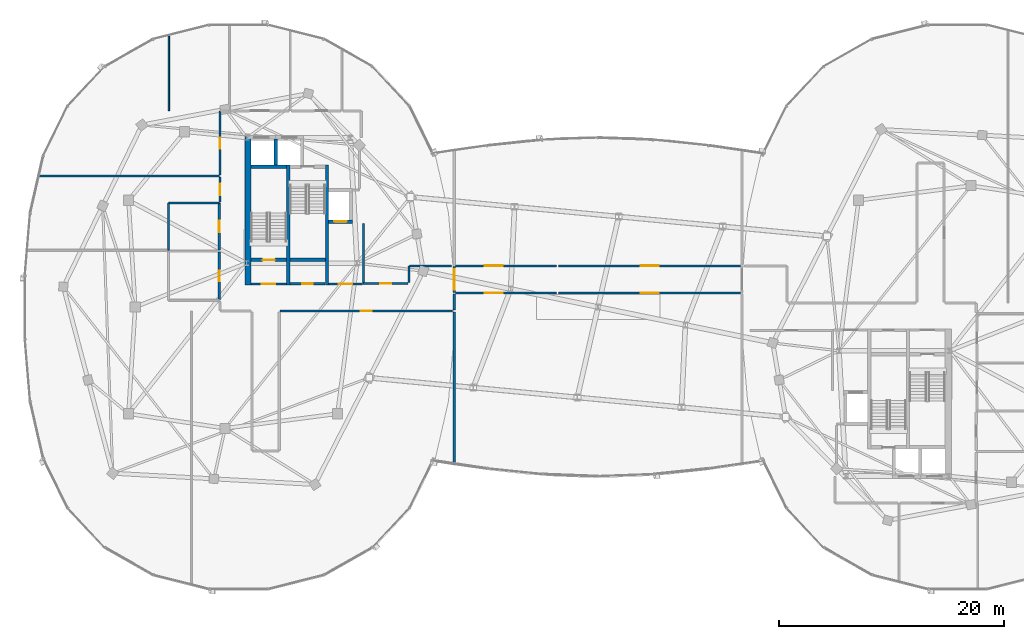
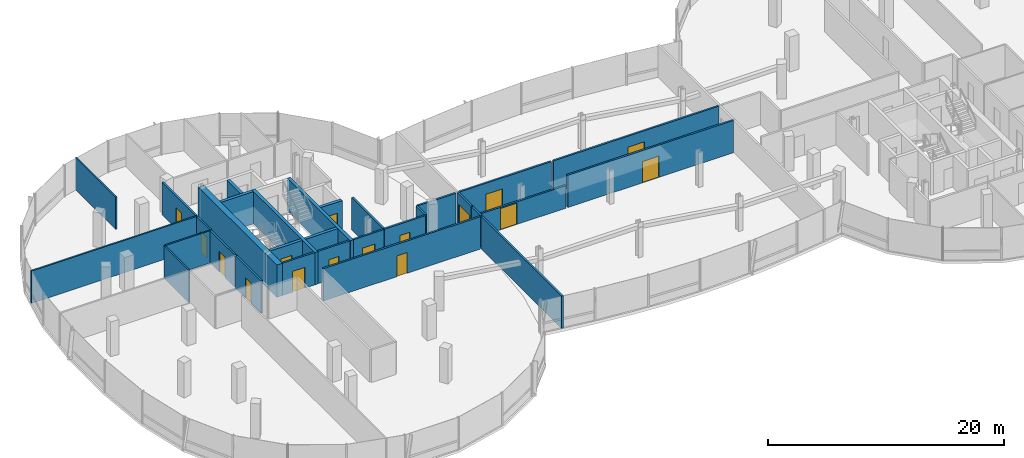
# One storey, part 14 of 25: 31 walls, 16 doors, 16 openings.
"""IFC4 building model written with IfcOpenShell, lengths in metres."""

from ifc_helpers import new_model, si_unit, direction, frame, frame_2d, origin, place, context, subcontext, project, spatial, rectangle, extrude, material, layer, layer_set, type_object, element, fill, save


model = new_model("IFC4")

# Units and contexts
model_context = context("Model", 3, precision=1e-05, world=origin(), true_north=direction((0.0, 1.0)))
body_context = subcontext(model_context, "Body", "Model", "MODEL_VIEW")
ifc_project = project(units=[si_unit("LENGTHUNIT", "METRE"), si_unit("AREAUNIT", "SQUARE_METRE"), si_unit("VOLUMEUNIT", "CUBIC_METRE"), si_unit("PLANEANGLEUNIT", "RADIAN"), si_unit("MASSUNIT", "GRAM", prefix="KILO"), si_unit("THERMODYNAMICTEMPERATUREUNIT", "KELVIN"), si_unit("POWERUNIT", "WATT")], contexts=[model_context])

# Site, building, storey
site_placement = place(None, origin())
site = spatial("IfcSite", under=ifc_project, at=site_placement, CompositionType="ELEMENT")
building_placement = place(site_placement, origin())
building = spatial("IfcBuilding", under=site, at=building_placement, Name="Cundina Bronze Exchange", CompositionType="ELEMENT")
storey_placement = place(building_placement, frame((0.0, 0.0, 239.60009765625)))
storey = spatial("IfcBuildingStorey", under=building, at=storey_placement, Name="L63", CompositionType="ELEMENT", Elevation=239.60009765625)

# Wall
ifc_material_1 = material(Name="Gypsum Fireboard Partition EI120")
ifc_layer_1 = layer(ifc_material_1, 0.179931640625, Name="Gypsum Fireboard Partition EI120")
ifc_layer_set_1 = layer_set([ifc_layer_1], Name="Gypsum Fireboard Partition EI120")
wall_type_1 = type_object("IfcWallType", Name="WL-COR-180", PredefinedType="PARTITIONING", material=ifc_layer_set_1)
wall_1_placement = place(storey_placement, frame((-20.889892578125, 2.14990234375, 0.0), z_axis=(0.0, 0.0, 1.0), x_axis=(0.0, 1.0, 0.0)))
element("IfcWall", 1, at=wall_1_placement, inside=storey, type_object=wall_type_1, Name="L63 W Firefighting Lobby Side Wall", PredefinedType="PARTITIONING", context=body_context, shape_type="SweptSolid", body=[
    extrude(rectangle(XDim=5.300048828125, YDim=0.179931640625, at=frame_2d((2.64990234375, 0.0))), origin(), (0.0, 0.0, 1.0), 3.33984375),
])

# Wall, opening, door
wall_2_placement = place(storey_placement, frame((-23.97998046875, 2.06005859375, 0.0), z_axis=(0.0, 0.0, 1.0), x_axis=(1.0, 0.0, 0.0)))
wall_2 = element("IfcWall", 2, at=wall_2_placement, inside=storey, type_object=wall_type_1, Name="L63 W Firefighting Lobby Exit Wall", PredefinedType="PARTITIONING", context=body_context, shape_type="SweptSolid", body=[
    extrude(rectangle(XDim=3.0, YDim=0.179931640625, at=frame_2d((1.5, 0.0))), origin(), (0.0, 0.0, 1.0), 3.33984375),
])
opening_1_placement = place(wall_2_placement, frame((0.89990234375, 0.0, 0.0)))
opening_1 = element("IfcOpeningElement", 3, at=opening_1_placement, cuts=wall_2, Name="Opening DF-01", PredefinedType="OPENING", context=body_context, shape_type="SweptSolid", body=[
    extrude(rectangle(XDim=1.199951171875, YDim=2.14990234375, at=frame_2d((0.60009765625, 1.074951171875))), frame((0.0, 0.099853515625, 0.0), z_axis=(0.0, -1.0, 0.0), x_axis=(1.0, 0.0, 0.0)), (0.0, 0.0, 1.0), 0.199951171875),
])
ifc_material_2 = material(Name="Steel ASTM A36 Painted", Category="steel")
door_type_1 = type_object("IfcDoorType", Name="DR-FFL-1200", OperationType="NOTDEFINED", PredefinedType="DOOR", material=ifc_material_2)
door_1_placement = place(opening_1_placement, origin())
door_1 = element("IfcDoor", 4, at=door_1_placement, inside=storey, type_object=door_type_1, Name="L63 W Firefighting Lobby Door", OperationType="SINGLE_SWING_RIGHT", OverallHeight=2.14990234375, OverallWidth=1.199951171875, PredefinedType="DOOR", context=body_context, shape_type="SweptSolid", body=[
    extrude(rectangle(XDim=1.199951171875, YDim=2.14990234375, at=frame_2d((0.60009765625, 1.074951171875))), frame((0.0, 0.02490234375, 0.0), z_axis=(0.0, -1.0, 0.0), x_axis=(1.0, 0.0, 0.0)), (0.0, 0.0, 1.0), 0.050048828125),
])
fill(opening_1, door_1)

wall_3_placement = place(storey_placement, frame((-30.89990234375, 2.06005859375, 0.0), z_axis=(0.0, 0.0, 1.0), x_axis=(1.0, 0.0, 0.0)))
wall_3 = element("IfcWall", 5, at=wall_3_placement, inside=storey, type_object=wall_type_1, Name="L63 W Stair Vestibule Exit Wall", PredefinedType="PARTITIONING", context=body_context, shape_type="SweptSolid", body=[
    extrude(rectangle(XDim=3.159912109375, YDim=0.179931640625, at=frame_2d((1.580078125, 0.0))), origin(), (0.0, 0.0, 1.0), 3.33984375),
])
opening_2_placement = place(wall_3_placement, frame((0.97998046875, 0.0, 0.0)))
opening_2 = element("IfcOpeningElement", 6, at=opening_2_placement, cuts=wall_3, Name="Opening DF-01", PredefinedType="OPENING", context=body_context, shape_type="SweptSolid", body=[
    extrude(rectangle(XDim=1.199951171875, YDim=2.14990234375, at=frame_2d((0.60009765625, 1.074951171875))), frame((0.0, 0.099853515625, 0.0), z_axis=(0.0, -1.0, 0.0), x_axis=(1.0, 0.0, 0.0)), (0.0, 0.0, 1.0), 0.199951171875),
])
door_2_placement = place(opening_2_placement, origin())
door_2 = element("IfcDoor", 7, at=door_2_placement, inside=storey, type_object=door_type_1, Name="L63 W Stair Vestibule Door", OperationType="SINGLE_SWING_LEFT", OverallHeight=2.14990234375, OverallWidth=1.199951171875, PredefinedType="DOOR", context=body_context, shape_type="SweptSolid", body=[
    extrude(rectangle(XDim=1.199951171875, YDim=2.14990234375, at=frame_2d((0.60009765625, 1.074951171875))), frame((0.0, 0.02490234375, 0.0), z_axis=(0.0, -1.0, 0.0), x_axis=(1.0, 0.0, 0.0)), (0.0, 0.0, 1.0), 0.050048828125),
])
fill(opening_2, door_2)

wall_4_placement = place(storey_placement, frame((-27.419921875, 2.070068359375, 0.0), z_axis=(0.0, 0.0, 1.0), x_axis=(1.0, 0.0, 0.0)))
wall_4 = element("IfcWall", 8, at=wall_4_placement, inside=storey, type_object=wall_type_1, Name="L63 Interior Partition 003", PredefinedType="PARTITIONING", context=body_context, shape_type="SweptSolid", body=[
    extrude(rectangle(XDim=3.119873046875, YDim=0.179931640625, at=frame_2d((1.56005859375, 0.0))), origin(), (0.0, 0.0, 1.0), 3.33984375),
])
opening_3_placement = place(wall_4_placement, frame((1.0849609375, 0.0, 0.0)))
opening_3 = element("IfcOpeningElement", 9, at=opening_3_placement, cuts=wall_4, Name="Opening DW-01", PredefinedType="OPENING", context=body_context, shape_type="SweptSolid", body=[
    extrude(rectangle(XDim=0.949951171875, YDim=2.10009765625, at=frame_2d((0.47509765625, 1.050048828125))), frame((0.0, 0.099853515625, 0.0), z_axis=(0.0, -1.0, 0.0), x_axis=(1.0, 0.0, 0.0)), (0.0, 0.0, 1.0), 0.199951171875),
])
ifc_material_3 = material(Name="Solid Andean Oak Timber Grade A", Category="wood")
door_type_2 = type_object("IfcDoorType", Name="DR-WC-950", OperationType="NOTDEFINED", PredefinedType="DOOR", material=ifc_material_3)
door_3_placement = place(opening_3_placement, origin())
door_3 = element("IfcDoor", 10, at=door_3_placement, inside=storey, type_object=door_type_2, Name="L63 Interior Door 003", OperationType="SINGLE_SWING_LEFT", OverallHeight=2.10009765625, OverallWidth=0.949951171875, PredefinedType="DOOR", context=body_context, shape_type="SweptSolid", body=[
    extrude(rectangle(XDim=0.949951171875, YDim=2.10009765625, at=frame_2d((0.47509765625, 1.050048828125))), frame((0.0, 0.02490234375, 0.0), z_axis=(0.0, -1.0, 0.0), x_axis=(1.0, 0.0, 0.0)), (0.0, 0.0, 1.0), 0.050048828125),
])
fill(opening_3, door_3)

wall_5_placement = place(storey_placement, frame((-33.719970703125, 0.6201171875, 0.0), z_axis=(0.0, 0.0, 1.0), x_axis=(0.0, 1.0, 0.0)))
wall_5 = element("IfcWall", 11, at=wall_5_placement, inside=storey, type_object=wall_type_1, Name="L63 Interior Partition 009", PredefinedType="PARTITIONING", context=body_context, shape_type="SweptSolid", body=[
    extrude(rectangle(XDim=4.259765625, YDim=0.179931640625, at=frame_2d((2.1298828125, 0.0))), origin(), (0.0, 0.0, 1.0), 3.33984375),
])
opening_4_placement = place(wall_5_placement, frame((1.655029296875, 0.0, 0.0)))
opening_4 = element("IfcOpeningElement", 12, at=opening_4_placement, cuts=wall_5, Name="Opening DW-01", PredefinedType="OPENING", context=body_context, shape_type="SweptSolid", body=[
    extrude(rectangle(XDim=0.949951171875, YDim=2.10009765625, at=frame_2d((0.47509765625, 1.050048828125))), frame((0.0, 0.099853515625, 0.0), z_axis=(0.0, -1.0, 0.0), x_axis=(1.0, 0.0, 0.0)), (0.0, 0.0, 1.0), 0.199951171875),
])
door_4_placement = place(opening_4_placement, origin())
door_4 = element("IfcDoor", 13, at=door_4_placement, inside=storey, type_object=door_type_2, Name="L63 Interior Door 009", OperationType="SINGLE_SWING_LEFT", OverallHeight=2.10009765625, OverallWidth=0.949951171875, PredefinedType="DOOR", context=body_context, shape_type="SweptSolid", body=[
    extrude(rectangle(XDim=0.949951171875, YDim=2.10009765625, at=frame_2d((0.47509765625, 1.050048828125))), frame((0.0, 0.02490234375, 0.0), z_axis=(0.0, -1.0, 0.0), x_axis=(1.0, 0.0, 0.0)), (0.0, 0.0, 1.0), 0.050048828125),
])
fill(opening_4, door_4)

wall_6_placement = place(storey_placement, frame((-33.719970703125, 5.080078125, 0.0), z_axis=(0.0, 0.0, 1.0), x_axis=(0.0, 1.0, 0.0)))
wall_6 = element("IfcWall", 14, at=wall_6_placement, inside=storey, type_object=wall_type_1, Name="L63 Interior Partition 010", PredefinedType="PARTITIONING", context=body_context, shape_type="SweptSolid", body=[
    extrude(rectangle(XDim=4.159912109375, YDim=0.179931640625, at=frame_2d((2.080078125, 0.0))), origin(), (0.0, 0.0, 1.0), 3.33984375),
])
opening_5_placement = place(wall_6_placement, frame((1.580078125, 0.0, 0.0)))
opening_5 = element("IfcOpeningElement", 15, at=opening_5_placement, cuts=wall_6, Name="Opening DO-01", PredefinedType="OPENING", context=body_context, shape_type="SweptSolid", body=[
    extrude(rectangle(XDim=1.0, YDim=2.14990234375, at=frame_2d((0.5, 1.074951171875))), frame((0.0, 0.099853515625, 0.0), z_axis=(0.0, -1.0, 0.0), x_axis=(1.0, 0.0, 0.0)), (0.0, 0.0, 1.0), 0.199951171875),
])
door_type_3 = type_object("IfcDoorType", Name="DR-OFF-1000", OperationType="NOTDEFINED", PredefinedType="DOOR", material=ifc_material_3)
door_5_placement = place(opening_5_placement, origin())
door_5 = element("IfcDoor", 16, at=door_5_placement, inside=storey, type_object=door_type_3, Name="L63 Interior Door 010", OperationType="SINGLE_SWING_LEFT", OverallHeight=2.14990234375, OverallWidth=1.0, PredefinedType="DOOR", context=body_context, shape_type="SweptSolid", body=[
    extrude(rectangle(XDim=1.0, YDim=2.14990234375, at=frame_2d((0.5, 1.074951171875))), frame((0.0, 0.02490234375, 0.0), z_axis=(0.0, -1.0, 0.0), x_axis=(1.0, 0.0, 0.0)), (0.0, 0.0, 1.0), 0.050048828125),
])
fill(opening_5, door_5)

wall_7_placement = place(storey_placement, frame((-28.300048828125, -0.3701171875, 0.0), z_axis=(0.0, 0.0, 1.0), x_axis=(1.0, 0.0, 0.0)))
wall_7 = element("IfcWall", 17, at=wall_7_placement, inside=storey, type_object=wall_type_1, Name="L63 Interior Partition 018", PredefinedType="PARTITIONING", context=body_context, shape_type="SweptSolid", body=[
    extrude(rectangle(XDim=15.34912109375, YDim=0.179931640625, at=frame_2d((7.674560546875, 0.0))), origin(), (0.0, 0.0, 1.0), 3.33984375),
])
opening_6_placement = place(wall_7_placement, frame((7.174560546875, 0.0, 0.0)))
opening_6 = element("IfcOpeningElement", 18, at=opening_6_placement, cuts=wall_7, Name="Opening DO-01", PredefinedType="OPENING", context=body_context, shape_type="SweptSolid", body=[
    extrude(rectangle(XDim=1.0, YDim=2.14990234375, at=frame_2d((0.5, 1.074951171875))), frame((0.0, 0.099853515625, 0.0), z_axis=(0.0, -1.0, 0.0), x_axis=(1.0, 0.0, 0.0)), (0.0, 0.0, 1.0), 0.199951171875),
])
door_6_placement = place(opening_6_placement, origin())
door_6 = element("IfcDoor", 19, at=door_6_placement, inside=storey, type_object=door_type_3, Name="L63 Interior Door 018", OperationType="SINGLE_SWING_LEFT", OverallHeight=2.14990234375, OverallWidth=1.0, PredefinedType="DOOR", context=body_context, shape_type="SweptSolid", body=[
    extrude(rectangle(XDim=1.0, YDim=2.14990234375, at=frame_2d((0.5, 1.074951171875))), frame((0.0, 0.02490234375, 0.0), z_axis=(0.0, -1.0, 0.0), x_axis=(1.0, 0.0, 0.0)), (0.0, 0.0, 1.0), 0.050048828125),
])
fill(opening_6, door_6)

wall_8_placement = place(storey_placement, frame((-33.669921875, 11.570068359375, 0.0), z_axis=(0.0, 0.0, 1.0), x_axis=(0.0, -1.0, 0.0)))
wall_8 = element("IfcWall", 20, at=wall_8_placement, inside=storey, type_object=wall_type_1, Name="L63 Interior Partition 024", PredefinedType="PARTITIONING", context=body_context, shape_type="SweptSolid", body=[
    extrude(rectangle(XDim=2.21875, YDim=0.179931640625, at=frame_2d((1.109375, 0.0))), origin(), (0.0, 0.0, 1.0), 3.33984375),
])
opening_7_placement = place(wall_8_placement, frame((0.609375, 0.0, 0.0)))
opening_7 = element("IfcOpeningElement", 21, at=opening_7_placement, cuts=wall_8, Name="Opening DO-01", PredefinedType="OPENING", context=body_context, shape_type="SweptSolid", body=[
    extrude(rectangle(XDim=1.0, YDim=2.14990234375, at=frame_2d((0.5, 1.074951171875))), frame((0.0, 0.099853515625, 0.0), z_axis=(0.0, -1.0, 0.0), x_axis=(1.0, 0.0, 0.0)), (0.0, 0.0, 1.0), 0.199951171875),
])
door_7_placement = place(opening_7_placement, origin())
door_7 = element("IfcDoor", 22, at=door_7_placement, inside=storey, type_object=door_type_3, Name="L63 Interior Door 024", OperationType="SINGLE_SWING_LEFT", OverallHeight=2.14990234375, OverallWidth=1.0, PredefinedType="DOOR", context=body_context, shape_type="SweptSolid", body=[
    extrude(rectangle(XDim=1.0, YDim=2.14990234375, at=frame_2d((0.5, 1.074951171875))), frame((0.0, 0.02490234375, 0.0), z_axis=(0.0, -1.0, 0.0), x_axis=(1.0, 0.0, 0.0)), (0.0, 0.0, 1.0), 0.050048828125),
])
fill(opening_7, door_7)

wall_9_placement = place(storey_placement, frame((-16.89990234375, 2.10009765625, 0.0), z_axis=(0.0, 0.0, 1.0), x_axis=(-1.0, 0.0, 0.0)))
wall_9 = element("IfcWall", 23, at=wall_9_placement, inside=storey, type_object=wall_type_1, Name="L63 Interior Partition 025", PredefinedType="PARTITIONING", context=body_context, shape_type="SweptSolid", body=[
    extrude(rectangle(XDim=4.02001953125, YDim=0.179931640625, at=frame_2d((2.010009765625, 0.0))), origin(), (0.0, 0.0, 1.0), 3.33984375),
])
opening_8_placement = place(wall_9_placement, frame((1.510009765625, 0.0, 0.0)))
opening_8 = element("IfcOpeningElement", 24, at=opening_8_placement, cuts=wall_9, Name="Opening DO-01", PredefinedType="OPENING", context=body_context, shape_type="SweptSolid", body=[
    extrude(rectangle(XDim=1.0, YDim=2.14990234375, at=frame_2d((0.5, 1.074951171875))), frame((0.0, 0.099853515625, 0.0), z_axis=(0.0, -1.0, 0.0), x_axis=(1.0, 0.0, 0.0)), (0.0, 0.0, 1.0), 0.199951171875),
])
door_8_placement = place(opening_8_placement, origin())
door_8 = element("IfcDoor", 25, at=door_8_placement, inside=storey, type_object=door_type_3, Name="L63 Interior Door 025", OperationType="SINGLE_SWING_LEFT", OverallHeight=2.14990234375, OverallWidth=1.0, PredefinedType="DOOR", context=body_context, shape_type="SweptSolid", body=[
    extrude(rectangle(XDim=1.0, YDim=2.14990234375, at=frame_2d((0.5, 1.074951171875))), frame((0.0, 0.02490234375, 0.0), z_axis=(0.0, -1.0, 0.0), x_axis=(1.0, 0.0, 0.0)), (0.0, 0.0, 1.0), 0.050048828125),
])
fill(opening_8, door_8)

# Walls
wall_10_placement = place(storey_placement, frame((-13.025634765625, 3.669921875, 0.0), z_axis=(0.0, 0.0, 1.0), x_axis=(-1.0, 0.0, 0.0)))
element("IfcWall", 26, at=wall_10_placement, inside=storey, type_object=wall_type_1, Name="L63 Interior Partition 026", PredefinedType="PARTITIONING", context=body_context, shape_type="SweptSolid", body=[
    extrude(rectangle(XDim=3.7529296875, YDim=0.179931640625, at=frame_2d((1.87646484375, 0.0))), origin(), (0.0, 0.0, 1.0), 3.33984375),
])
wall_11_placement = place(storey_placement, frame((-16.820068359375, 3.62841796875, 0.0), z_axis=(0.0, 0.0, 1.0), x_axis=(0.0, -1.0, 0.0)))
element("IfcWall", 27, at=wall_11_placement, inside=storey, type_object=wall_type_1, Name="L63 Interior Partition 029", PredefinedType="PARTITIONING", context=body_context, shape_type="SweptSolid", body=[
    extrude(rectangle(XDim=1.448486328125, YDim=0.179931640625, at=frame_2d((0.72412109375, 0.0))), origin(), (0.0, 0.0, 1.0), 3.33984375),
])

# Wall, opening, door
wall_12_placement = place(storey_placement, frame((-33.669921875, 17.428466796875, 0.0), z_axis=(0.0, 0.0, 1.0), x_axis=(0.0, -1.0, 0.0)))
wall_12 = element("IfcWall", 28, at=wall_12_placement, inside=storey, type_object=wall_type_1, Name="L63 Interior Partition 030", PredefinedType="PARTITIONING", context=body_context, shape_type="SweptSolid", body=[
    extrude(rectangle(XDim=5.678466796875, YDim=0.179931640625, at=frame_2d((2.83935546875, 0.0))), origin(), (0.0, 0.0, 1.0), 3.33984375),
])
opening_9_placement = place(wall_12_placement, frame((2.339111328125, 0.0, 0.0)))
opening_9 = element("IfcOpeningElement", 29, at=opening_9_placement, cuts=wall_12, Name="Opening DO-01", PredefinedType="OPENING", context=body_context, shape_type="SweptSolid", body=[
    extrude(rectangle(XDim=1.0, YDim=2.14990234375, at=frame_2d((0.5, 1.074951171875))), frame((0.0, 0.099853515625, 0.0), z_axis=(0.0, -1.0, 0.0), x_axis=(1.0, 0.0, 0.0)), (0.0, 0.0, 1.0), 0.199951171875),
])
door_9_placement = place(opening_9_placement, origin())
door_9 = element("IfcDoor", 30, at=door_9_placement, inside=storey, type_object=door_type_3, Name="L63 Interior Door 030", OperationType="SINGLE_SWING_LEFT", OverallHeight=2.14990234375, OverallWidth=1.0, PredefinedType="DOOR", context=body_context, shape_type="SweptSolid", body=[
    extrude(rectangle(XDim=1.0, YDim=2.14990234375, at=frame_2d((0.5, 1.074951171875))), frame((0.0, 0.02490234375, 0.0), z_axis=(0.0, -1.0, 0.0), x_axis=(1.0, 0.0, 0.0)), (0.0, 0.0, 1.0), 0.050048828125),
])
fill(opening_9, door_9)

wall_13_placement = place(storey_placement, frame((-3.5048828125, 1.22998046875, 0.0), z_axis=(0.0, 0.0, 1.0), x_axis=(1.0, 0.0, 0.0)))
wall_13 = element("IfcWall", 31, at=wall_13_placement, inside=storey, type_object=wall_type_1, Name="L63 Interior Partition 065", PredefinedType="PARTITIONING", context=body_context, shape_type="SweptSolid", body=[
    extrude(rectangle(XDim=16.193359375, YDim=0.179931640625, at=frame_2d((8.0966796875, 0.0))), origin(), (0.0, 0.0, 1.0), 3.33984375),
])
opening_10_placement = place(wall_13_placement, frame((7.296875, 0.0, 0.0)))
opening_10 = element("IfcOpeningElement", 32, at=opening_10_placement, cuts=wall_13, Name="Opening DO-02", PredefinedType="OPENING", context=body_context, shape_type="SweptSolid", body=[
    extrude(rectangle(XDim=1.60009765625, YDim=2.199951171875, at=frame_2d((0.800048828125, 1.10009765625))), frame((0.0, 0.099853515625, 0.0), z_axis=(0.0, -1.0, 0.0), x_axis=(1.0, 0.0, 0.0)), (0.0, 0.0, 1.0), 0.199951171875),
])
door_type_4 = type_object("IfcDoorType", Name="DR-TRD-1600", OperationType="NOTDEFINED", PredefinedType="DOOR", material=ifc_material_3)
door_10_placement = place(opening_10_placement, origin())
door_10 = element("IfcDoor", 33, at=door_10_placement, inside=storey, type_object=door_type_4, Name="L63 Interior Door 065", OperationType="SINGLE_SWING_LEFT", OverallHeight=2.199951171875, OverallWidth=1.60009765625, PredefinedType="DOOR", context=body_context, shape_type="SweptSolid", body=[
    extrude(rectangle(XDim=1.60009765625, YDim=2.199951171875, at=frame_2d((0.800048828125, 1.10009765625))), frame((0.0, 0.02490234375, 0.0), z_axis=(0.0, -1.0, 0.0), x_axis=(1.0, 0.0, 0.0)), (0.0, 0.0, 1.0), 0.050048828125),
])
fill(opening_10, door_10)

wall_14_placement = place(storey_placement, frame((-12.6884765625, 1.22998046875, 0.0), z_axis=(0.0, 0.0, 1.0), x_axis=(1.0, 0.0, 0.0)))
wall_14 = element("IfcWall", 34, at=wall_14_placement, inside=storey, type_object=wall_type_1, Name="L63 Interior Partition 066", PredefinedType="PARTITIONING", context=body_context, shape_type="SweptSolid", body=[
    extrude(rectangle(XDim=8.993408203125, YDim=0.179931640625, at=frame_2d((4.49658203125, 0.0))), origin(), (0.0, 0.0, 1.0), 2.331787109375),
])
opening_11_placement = place(wall_14_placement, frame((2.623779296875, 0.0, 0.0)))
opening_11 = element("IfcOpeningElement", 35, at=opening_11_placement, cuts=wall_14, Name="Opening DO-02", PredefinedType="OPENING", context=body_context, shape_type="SweptSolid", body=[
    extrude(rectangle(XDim=1.60009765625, YDim=2.199951171875, at=frame_2d((0.800048828125, 1.10009765625))), frame((0.0, 0.099853515625, 0.0), z_axis=(0.0, -1.0, 0.0), x_axis=(1.0, 0.0, 0.0)), (0.0, 0.0, 1.0), 0.199951171875),
])
door_11_placement = place(opening_11_placement, origin())
door_11 = element("IfcDoor", 36, at=door_11_placement, inside=storey, type_object=door_type_4, Name="L63 Interior Door 066", OperationType="SINGLE_SWING_LEFT", OverallHeight=2.199951171875, OverallWidth=1.60009765625, PredefinedType="DOOR", context=body_context, shape_type="SweptSolid", body=[
    extrude(rectangle(XDim=1.60009765625, YDim=2.199951171875, at=frame_2d((0.800048828125, 1.10009765625))), frame((0.0, 0.02490234375, 0.0), z_axis=(0.0, -1.0, 0.0), x_axis=(1.0, 0.0, 0.0)), (0.0, 0.0, 1.0), 0.050048828125),
])
fill(opening_11, door_11)

wall_15_placement = place(storey_placement, frame((-3.695068359375, 3.669921875, 0.0), z_axis=(0.0, 0.0, 1.0), x_axis=(-1.0, 0.0, 0.0)))
wall_15 = element("IfcWall", 37, at=wall_15_placement, inside=storey, type_object=wall_type_1, Name="L63 Interior Partition 067", PredefinedType="PARTITIONING", context=body_context, shape_type="SweptSolid", body=[
    extrude(rectangle(XDim=8.993408203125, YDim=0.179931640625, at=frame_2d((4.49658203125, 0.0))), origin(), (0.0, 0.0, 1.0), 3.33984375),
])
opening_12_placement = place(wall_15_placement, frame((4.769775390625, 0.0, 0.0)))
opening_12 = element("IfcOpeningElement", 38, at=opening_12_placement, cuts=wall_15, Name="Opening DO-02", PredefinedType="OPENING", context=body_context, shape_type="SweptSolid", body=[
    extrude(rectangle(XDim=1.60009765625, YDim=2.199951171875, at=frame_2d((0.800048828125, 1.10009765625))), frame((0.0, 0.099853515625, 0.0), z_axis=(0.0, -1.0, 0.0), x_axis=(1.0, 0.0, 0.0)), (0.0, 0.0, 1.0), 0.199951171875),
])
door_12_placement = place(opening_12_placement, origin())
door_12 = element("IfcDoor", 39, at=door_12_placement, inside=storey, type_object=door_type_4, Name="L63 Interior Door 067", OperationType="SINGLE_SWING_RIGHT", OverallHeight=2.199951171875, OverallWidth=1.60009765625, PredefinedType="DOOR", context=body_context, shape_type="SweptSolid", body=[
    extrude(rectangle(XDim=1.60009765625, YDim=2.199951171875, at=frame_2d((0.800048828125, 1.10009765625))), frame((0.0, 0.02490234375, 0.0), z_axis=(0.0, -1.0, 0.0), x_axis=(1.0, 0.0, 0.0)), (0.0, 0.0, 1.0), 0.050048828125),
])
fill(opening_12, door_12)

wall_16_placement = place(storey_placement, frame((12.6884765625, 3.669921875, 0.0), z_axis=(0.0, 0.0, 1.0), x_axis=(-1.0, 0.0, 0.0)))
wall_16 = element("IfcWall", 40, at=wall_16_placement, inside=storey, type_object=wall_type_1, Name="L63 Interior Partition 068", PredefinedType="PARTITIONING", context=body_context, shape_type="SweptSolid", body=[
    extrude(rectangle(XDim=16.193359375, YDim=0.179931640625, at=frame_2d((8.0966796875, 0.0))), origin(), (0.0, 0.0, 1.0), 3.33984375),
])
opening_13_placement = place(wall_16_placement, frame((7.296875, 0.0, 0.0)))
opening_13 = element("IfcOpeningElement", 41, at=opening_13_placement, cuts=wall_16, Name="Opening DO-02", PredefinedType="OPENING", context=body_context, shape_type="SweptSolid", body=[
    extrude(rectangle(XDim=1.60009765625, YDim=2.199951171875, at=frame_2d((0.800048828125, 1.10009765625))), frame((0.0, 0.099853515625, 0.0), z_axis=(0.0, -1.0, 0.0), x_axis=(1.0, 0.0, 0.0)), (0.0, 0.0, 1.0), 0.199951171875),
])
door_13_placement = place(opening_13_placement, origin())
door_13 = element("IfcDoor", 42, at=door_13_placement, inside=storey, type_object=door_type_4, Name="L63 Interior Door 068", OperationType="SINGLE_SWING_RIGHT", OverallHeight=2.199951171875, OverallWidth=1.60009765625, PredefinedType="DOOR", context=body_context, shape_type="SweptSolid", body=[
    extrude(rectangle(XDim=1.60009765625, YDim=2.199951171875, at=frame_2d((0.800048828125, 1.10009765625))), frame((0.0, 0.02490234375, 0.0), z_axis=(0.0, -1.0, 0.0), x_axis=(1.0, 0.0, 0.0)), (0.0, 0.0, 1.0), 0.050048828125),
])
fill(opening_13, door_13)

# Walls
wall_17_placement = place(storey_placement, frame((-12.800048828125, -14.043701171875, 0.0), z_axis=(0.0, 0.0, 1.0), x_axis=(0.0, 1.0, 0.0)))
element("IfcWall", 43, at=wall_17_placement, inside=storey, type_object=wall_type_1, Name="L63 Interior Partition 069", PredefinedType="PARTITIONING", context=body_context, shape_type="SweptSolid", body=[
    extrude(rectangle(XDim=13.588623046875, YDim=0.179931640625, at=frame_2d((6.79443359375, 0.0))), origin(), (0.0, 0.0, 1.0), 3.33984375),
])
wall_18_placement = place(storey_placement, frame((-12.800048828125, -0.284912109375, 0.0), z_axis=(0.0, 0.0, 1.0), x_axis=(0.0, 1.0, 0.0)))
element("IfcWall", 44, at=wall_18_placement, inside=storey, type_object=wall_type_1, Name="L63 Interior Partition 070", PredefinedType="PARTITIONING", context=body_context, shape_type="SweptSolid", body=[
    extrude(rectangle(XDim=1.44482421875, YDim=0.179931640625, at=frame_2d((0.722412109375, 0.0))), origin(), (0.0, 0.0, 1.0), 3.33984375),
])

# Wall, opening, door
wall_19_placement = place(storey_placement, frame((-12.800048828125, 1.280029296875, 0.0), z_axis=(0.0, 0.0, 1.0), x_axis=(0.0, 1.0, 0.0)))
wall_19 = element("IfcWall", 45, at=wall_19_placement, inside=storey, type_object=wall_type_1, Name="L63 Interior Partition 072", PredefinedType="PARTITIONING", context=body_context, shape_type="SweptSolid", body=[
    extrude(rectangle(XDim=2.340087890625, YDim=0.179931640625, at=frame_2d((1.169921875, 0.0))), origin(), (0.0, 0.0, 1.0), 3.33984375),
])
opening_14_placement = place(wall_19_placement, frame((0.27001953125, 0.0, 0.0)))
opening_14 = element("IfcOpeningElement", 46, at=opening_14_placement, cuts=wall_19, Name="Opening DB-01", PredefinedType="OPENING", context=body_context, shape_type="SweptSolid", body=[
    extrude(rectangle(XDim=1.800048828125, YDim=2.25, at=frame_2d((0.89990234375, 1.125))), frame((0.0, 0.099853515625, 0.0), z_axis=(0.0, -1.0, 0.0), x_axis=(1.0, 0.0, 0.0)), (0.0, 0.0, 1.0), 0.199951171875),
])
door_type_5 = type_object("IfcDoorType", Name="DR-BRG-1800", OperationType="NOTDEFINED", PredefinedType="DOOR", material=ifc_material_2)
door_14_placement = place(opening_14_placement, origin())
door_14 = element("IfcDoor", 47, at=door_14_placement, inside=storey, type_object=door_type_5, Name="L63 Interior Door 072", OperationType="DOUBLE_DOOR_SINGLE_SWING", OverallHeight=2.25, OverallWidth=1.800048828125, PredefinedType="DOOR", context=body_context, shape_type="SweptSolid", body=[
    extrude(rectangle(XDim=1.800048828125, YDim=2.25, at=frame_2d((0.89990234375, 1.125))), frame((0.0, 0.02490234375, 0.0), z_axis=(0.0, -1.0, 0.0), x_axis=(1.0, 0.0, 0.0)), (0.0, 0.0, 1.0), 0.050048828125),
])
fill(opening_14, door_14)

# Walls
ifc_material_4 = material(Name="Concrete C50/60", Category="concrete")
ifc_layer_2 = layer(ifc_material_4, 0.550048828125, Name="Concrete C50/60", Category="concrete")
ifc_layer_set_2 = layer_set([ifc_layer_2], Name="Concrete C50/60")
wall_type_2 = type_object("IfcWallType", Name="WL-CORE-550", PredefinedType="SHEAR", material=ifc_layer_set_2)
wall_20_placement = place(storey_placement, frame((-31.175048828125, 1.969970703125, 0.0), z_axis=(0.0, 0.0, 1.0), x_axis=(0.0, 1.0, 0.0)))
element("IfcWall", 48, at=wall_20_placement, inside=storey, type_object=wall_type_2, Name="L63 W Primary Core Shear Spine Wall", PredefinedType="SHEAR", context=body_context, shape_type="SweptSolid", body=[
    extrude(rectangle(XDim=13.330078125, YDim=0.550048828125, at=frame_2d((6.6650390625, 0.0))), origin(), (0.0, 0.0, 1.0), 3.33984375),
])
ifc_material_5 = material(Name="Gypsum Acoustic Partition EI60")
ifc_layer_3 = layer(ifc_material_5, 0.125, Name="Gypsum Acoustic Partition EI60")
ifc_layer_set_3 = layer_set([ifc_layer_3], Name="Gypsum Acoustic Partition EI60")
wall_type_3 = type_object("IfcWallType", Name="WL-OFF-125", PredefinedType="PARTITIONING", material=ifc_layer_set_3)
wall_21_placement = place(storey_placement, frame((-38.199951171875, 17.469970703125, 0.0), z_axis=(0.0, 0.0, 1.0), x_axis=(0.0, 1.0, 0.0)))
element("IfcWall", 49, at=wall_21_placement, inside=storey, type_object=wall_type_3, Name="L63 Interior Partition 014", PredefinedType="PARTITIONING", context=body_context, shape_type="SweptSolid", body=[
    extrude(rectangle(XDim=6.81982421875, YDim=0.125, at=frame_2d((3.409912109375, 0.0))), origin(), (0.0, 0.0, 1.0), 3.33984375),
])
ifc_layer_4 = layer(ifc_material_4, 0.300048828125, Name="Concrete C50/60", Category="concrete")
ifc_layer_set_4 = layer_set([ifc_layer_4], Name="Concrete C50/60")
wall_type_4 = type_object("IfcWallType", Name="WL-SHFT-300", PredefinedType="SHEAR", material=ifc_layer_set_4)
for number, where, z_axis, x_axis, name in (
    (50, (-27.590087890625, 1.969970703125, 0.0), (0.0, 0.0, 1.0), (0.0, 1.0, 0.0), "L63 W Stair Shaft Dividing Shear Wall"),
    (51, (-24.1298828125, 1.969970703125, 0.0), (0.0, 0.0, 1.0), (0.0, 1.0, 0.0), "L63 W Stair 2 East Shear Wall"),
):
    element("IfcWall", number, at=place(storey_placement, frame(where, z_axis=z_axis, x_axis=x_axis)), inside=storey, type_object=wall_type_4, Name=name, PredefinedType="SHEAR", context=body_context, shape_type="SweptSolid", body=[
        extrude(rectangle(XDim=10.679931640625, YDim=0.300048828125, at=frame_2d((5.33984375, 0.0))), origin(), (0.0, 0.0, 1.0), 3.33984375),
    ])

# Wall, opening, door
wall_22_placement = place(storey_placement, frame((-30.89990234375, 4.199951171875, 0.0), z_axis=(0.0, 0.0, 1.0), x_axis=(1.0, 0.0, 0.0)))
wall_22 = element("IfcWall", 52, at=wall_22_placement, inside=storey, type_object=wall_type_4, Name="L63 Stair W1 Landing Wall", PredefinedType="SHEAR", context=body_context, shape_type="SweptSolid", body=[
    extrude(rectangle(XDim=3.159912109375, YDim=0.300048828125, at=frame_2d((1.580078125, 0.0))), origin(), (0.0, 0.0, 1.0), 3.33984375),
])
opening_15_placement = place(wall_22_placement, frame((1.030029296875, 0.0, 0.0)))
opening_15 = element("IfcOpeningElement", 53, at=opening_15_placement, cuts=wall_22, Name="Opening DS-01", PredefinedType="OPENING", context=body_context, shape_type="SweptSolid", body=[
    extrude(rectangle(XDim=1.10009765625, YDim=2.14990234375, at=frame_2d((0.550048828125, 1.074951171875))), frame((0.0, 0.159912109375, 0.0), z_axis=(0.0, -1.0, 0.0), x_axis=(1.0, 0.0, 0.0)), (0.0, 0.0, 1.0), 0.320068359375),
])
door_type_6 = type_object("IfcDoorType", Name="DR-STR-1100", OperationType="NOTDEFINED", PredefinedType="DOOR", material=ifc_material_2)
door_15_placement = place(opening_15_placement, origin())
door_15 = element("IfcDoor", 54, at=door_15_placement, inside=storey, type_object=door_type_6, Name="L63 Smokeproof Stair W1 Door", OperationType="SINGLE_SWING_RIGHT", OverallHeight=2.14990234375, OverallWidth=1.10009765625, PredefinedType="DOOR", context=body_context, shape_type="SweptSolid", body=[
    extrude(rectangle(XDim=1.10009765625, YDim=2.14990234375, at=frame_2d((0.550048828125, 1.074951171875))), frame((0.0, 0.02490234375, 0.0), z_axis=(0.0, -1.0, 0.0), x_axis=(1.0, 0.0, 0.0)), (0.0, 0.0, 1.0), 0.050048828125),
])
fill(opening_15, door_15)

# Walls
for number, where, z_axis, x_axis, name in (
    (55, (-30.89990234375, 12.5, 0.0), (0.0, 0.0, 1.0), (1.0, 0.0, 0.0), "L63 Stair W1 Far Shaft Wall"),
    (56, (-27.43994140625, 4.199951171875, 0.0), (0.0, 0.0, 1.0), (1.0, 0.0, 0.0), "L63 Stair W2 Far Shaft Wall"),
):
    element("IfcWall", number, at=place(storey_placement, frame(where, z_axis=z_axis, x_axis=x_axis)), inside=storey, type_object=wall_type_4, Name=name, PredefinedType="SHEAR", context=body_context, shape_type="SweptSolid", body=[
        extrude(rectangle(XDim=3.159912109375, YDim=0.300048828125, at=frame_2d((1.580078125, 0.0))), origin(), (0.0, 0.0, 1.0), 3.33984375),
    ])

# Wall, opening, door
wall_23_placement = place(storey_placement, frame((-23.97998046875, 7.60009765625, 0.0), z_axis=(0.0, 0.0, 1.0), x_axis=(1.0, 0.0, 0.0)))
wall_23 = element("IfcWall", 57, at=wall_23_placement, inside=storey, type_object=wall_type_4, Name="L63 FFL-W Hoistway Front Wall", PredefinedType="SHEAR", context=body_context, shape_type="SweptSolid", body=[
    extrude(rectangle(XDim=2.10009765625, YDim=0.300048828125, at=frame_2d((1.050048828125, 0.0))), origin(), (0.0, 0.0, 1.0), 3.33984375),
])
opening_16_placement = place(wall_23_placement, frame((0.47509765625, 0.0, 0.0)))
opening_16 = element("IfcOpeningElement", 58, at=opening_16_placement, cuts=wall_23, Name="Opening LD-01", PredefinedType="OPENING", context=body_context, shape_type="SweptSolid", body=[
    extrude(rectangle(XDim=1.14990234375, YDim=2.199951171875, at=frame_2d((0.574951171875, 1.10009765625))), frame((0.0, 0.159912109375, 0.0), z_axis=(0.0, -1.0, 0.0), x_axis=(1.0, 0.0, 0.0)), (0.0, 0.0, 1.0), 0.320068359375),
])
door_type_7 = type_object("IfcDoorType", Name="DR-LND-1150", OperationType="NOTDEFINED", PredefinedType="TRAPDOOR", material=ifc_material_2)
door_16_placement = place(opening_16_placement, origin())
door_16 = element("IfcDoor", 59, at=door_16_placement, inside=storey, type_object=door_type_7, Name="L63 FFL-W Sliding Landing Door", OperationType="SLIDING_TO_LEFT", OverallHeight=2.199951171875, OverallWidth=1.14990234375, PredefinedType="TRAPDOOR", context=body_context, shape_type="SweptSolid", body=[
    extrude(rectangle(XDim=1.14990234375, YDim=2.199951171875, at=frame_2d((0.574951171875, 1.10009765625))), frame((0.0, 0.02490234375, 0.0), z_axis=(0.0, -1.0, 0.0), x_axis=(1.0, 0.0, 0.0)), (0.0, 0.0, 1.0), 0.050048828125),
])
fill(opening_16, door_16)

# Walls
wall_24_placement = place(storey_placement, frame((-28.699951171875, 12.64990234375, 0.0), z_axis=(0.0, 0.0, 1.0), x_axis=(0.0, 1.0, 0.0)))
element("IfcWall", 60, at=wall_24_placement, inside=storey, type_object=wall_type_4, Name="L63 PH-W1 Hoistway Divider Wall", PredefinedType="SHEAR", context=body_context, shape_type="SweptSolid", body=[
    extrude(rectangle(XDim=2.300048828125, YDim=0.300048828125, at=frame_2d((1.14990234375, 0.0))), origin(), (0.0, 0.0, 1.0), 3.33984375),
])
ifc_layer_5 = layer(ifc_material_5, 0.14990234375, Name="Gypsum Acoustic Partition EI60")
ifc_layer_set_5 = layer_set([ifc_layer_5], Name="Gypsum Acoustic Partition EI60")
wall_type_5 = type_object("IfcWallType", Name="WL-TEN-150", PredefinedType="PARTITIONING", material=ifc_layer_set_5)
wall_25_placement = place(storey_placement, frame((-49.8828125, 11.659912109375, 0.0), z_axis=(0.0, 0.0, 1.0), x_axis=(1.0, 0.0, 0.0)))
element("IfcWall", 61, at=wall_25_placement, inside=storey, type_object=wall_type_5, Name="L63 Interior Partition 013", PredefinedType="PARTITIONING", context=body_context, shape_type="SweptSolid", body=[
    extrude(rectangle(XDim=16.182861328125, YDim=0.14990234375, at=frame_2d((8.09130859375, 0.0))), origin(), (0.0, 0.0, 1.0), 3.33984375),
])
ifc_material_6 = material(Name="Moisture-Resistant Masonry Block Grade M15", Category="masonry")
ifc_layer_6 = layer(ifc_material_6, 0.139892578125, Name="Moisture-Resistant Masonry Block Grade M15", Category="masonry")
ifc_layer_set_6 = layer_set([ifc_layer_6], Name="Moisture-Resistant Masonry Block Grade M15")
wall_type_6 = type_object("IfcWallType", Name="WL-WET-140", PredefinedType="PARTITIONING", material=ifc_layer_set_6)
wall_26_placement = place(storey_placement, frame((-38.239990234375, 5.06494140625, 0.0), z_axis=(0.0, 0.0, 1.0), x_axis=(0.0, 1.0, 0.0)))
element("IfcWall", 62, at=wall_26_placement, inside=storey, type_object=wall_type_6, Name="L63 Interior Partition 005", PredefinedType="PARTITIONING", context=body_context, shape_type="SweptSolid", body=[
    extrude(rectangle(XDim=4.175048828125, YDim=0.139892578125, at=frame_2d((2.08740234375, 0.0))), origin(), (0.0, 0.0, 1.0), 3.33984375),
])
wall_27_placement = place(storey_placement, frame((-38.219970703125, 9.260009765625, 0.0), z_axis=(0.0, 0.0, 1.0), x_axis=(1.0, 0.0, 0.0)))
element("IfcWall", 63, at=wall_27_placement, inside=storey, type_object=wall_type_6, Name="L63 Interior Partition 008", PredefinedType="PARTITIONING", context=body_context, shape_type="SweptSolid", body=[
    extrude(rectangle(XDim=4.47998046875, YDim=0.139892578125, at=frame_2d((2.239990234375, 0.0))), origin(), (0.0, 0.0, 1.0), 3.33984375),
])

save(model, "model.ifc")
